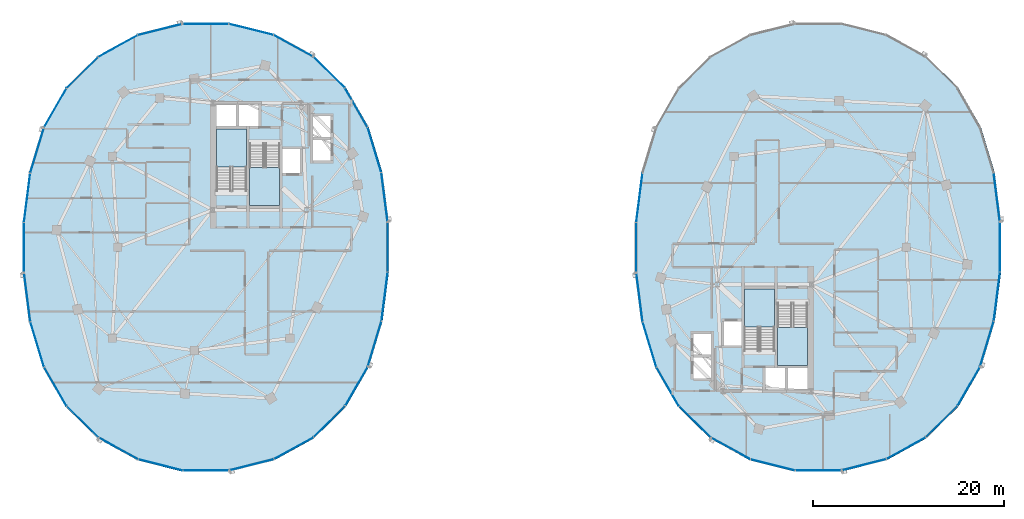
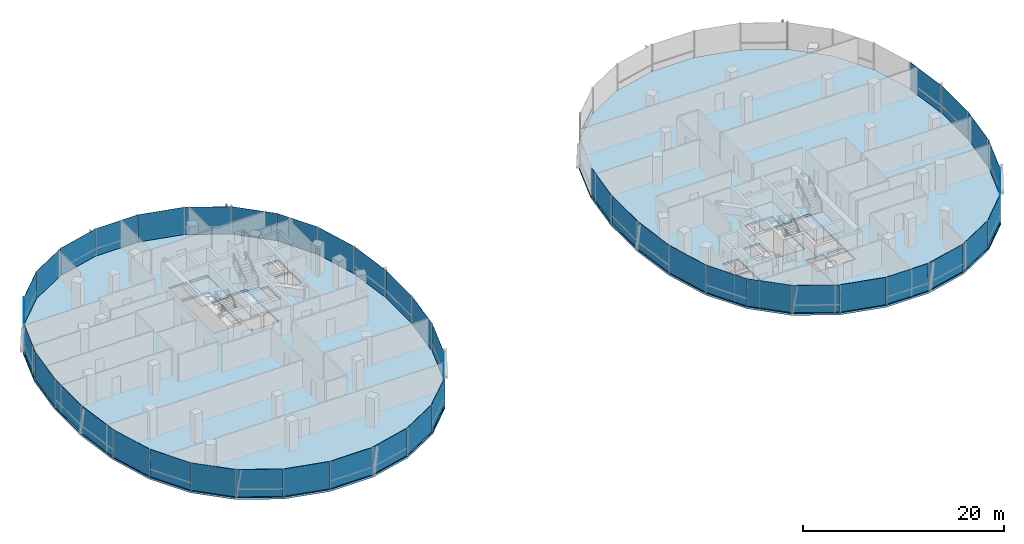
# One storey, part 10 of 23: 45 plates, 6 slabs, 12 elements without a shape of their own.
"""IFC4 building model written with IfcOpenShell, lengths in metres."""

from ifc_helpers import new_model, si_unit, direction, frame, origin, origin_2d, place, context, subcontext, project, spatial, polyline, rectangle, outline, extrude, material, layer, layer_set, type_object, element, aggregate, save


model = new_model("IFC4")

# Units and contexts
model_context = context("Model", 3, precision=1e-05, world=origin(), true_north=direction((0.0, 1.0)))
body_context = subcontext(model_context, "Body", "Model", "MODEL_VIEW")
ifc_project = project(units=[si_unit("LENGTHUNIT", "METRE"), si_unit("AREAUNIT", "SQUARE_METRE"), si_unit("VOLUMEUNIT", "CUBIC_METRE"), si_unit("PLANEANGLEUNIT", "RADIAN"), si_unit("MASSUNIT", "GRAM", prefix="KILO"), si_unit("THERMODYNAMICTEMPERATUREUNIT", "KELVIN"), si_unit("POWERUNIT", "WATT")], contexts=[model_context])

# Site, building, storey
site_placement = place(None, origin())
site = spatial("IfcSite", under=ifc_project, at=site_placement, CompositionType="ELEMENT")
building_placement = place(site_placement, origin())
building = spatial("IfcBuilding", under=site, at=building_placement, Name="Cundina Bronze Exchange", CompositionType="ELEMENT")
storey_placement = place(building_placement, frame((0.0, 0.0, 176.39990234375)))
storey = spatial("IfcBuildingStorey", under=building, at=storey_placement, Name="L46", CompositionType="ELEMENT", Elevation=176.39990234375)

# Curtain wall, plates
ifc_material_1 = material(Name="Anodised Bronze Aluminium 6063-T6", Category="aluminium")
curtain_wall_type = type_object("IfcCurtainWallType", Name="CWS-WST-PIN", PredefinedType="NOTDEFINED", material=ifc_material_1)
curtain_wall_1_placement = place(storey_placement, origin())
curtain_wall_1 = element("IfcCurtainWall", 1, at=curtain_wall_1_placement, inside=storey, type_object=curtain_wall_type, Name="L46 CW-04 Curtain Wall Run CWR-L46-W1", PredefinedType="NOTDEFINED")
ifc_material_2 = material(Name="Heat-Strengthened Solar-Control Bronze Safety Glass 28mm", Category="glass")
ifc_layer_1 = layer(ifc_material_2, 0.028076171875, Name="Heat-Strengthened Solar-Control Bronze Safety Glass 28mm", Category="glass")
ifc_layer_set_1 = layer_set([ifc_layer_1], Name="Heat-Strengthened Solar-Control Bronze Safety Glass 28mm")
plate_type_1 = type_object("IfcPlateType", Name="PLT-GLZ-VIS28", PredefinedType="CURTAIN_PANEL", material=ifc_layer_set_1)
plate_1_placement = place(storey_placement, frame((-13.320556640625, 5.2041015625, 0.02001953125), z_axis=(0.0, 0.0, 1.0), x_axis=(-0.126475984253, 0.9919696696, 0.0)))
plate_1 = element("IfcPlate", 2, at=plate_1_placement, type_object=plate_type_1, Name="CW-04 Glazed Panel 1", PredefinedType="CURTAIN_PANEL", context=body_context, shape_type="SweptSolid", body=[
    extrude(rectangle(XDim=5.104736328125, YDim=0.028076171875, at=origin_2d()), origin(), (0.0, 0.0, 1.0), 3.320068359375),
])
plate_2_placement = place(storey_placement, frame((-14.36669921875, 10.14208984375, 0.02001953125), z_axis=(0.0, 0.0, 1.0), x_axis=(-0.290050843957, 0.957011237092, 0.0)))
plate_2 = element("IfcPlate", 3, at=plate_2_placement, type_object=plate_type_1, Name="CW-04 Glazed Panel 2", PredefinedType="CURTAIN_PANEL", context=body_context, shape_type="SweptSolid", body=[
    extrude(rectangle(XDim=4.885009765625, YDim=0.028076171875, at=origin_2d()), origin(), (0.0, 0.0, 1.0), 3.320068359375),
])
plate_3_placement = place(storey_placement, frame((-16.265625, 14.564697265625, 0.02001953125), z_axis=(0.0, 0.0, 1.0), x_axis=(-0.498487739754, 0.866896748936, 0.0)))
plate_3 = element("IfcPlate", 4, at=plate_3_placement, type_object=plate_type_1, Name="CW-04 Glazed Panel 3", PredefinedType="CURTAIN_PANEL", context=body_context, shape_type="SweptSolid", body=[
    extrude(rectangle(XDim=4.676513671875, YDim=0.028076171875, at=origin_2d()), origin(), (0.0, 0.0, 1.0), 3.320068359375),
])
plate_4_placement = place(storey_placement, frame((-22.83154296875, 21.02880859375, 0.02001953125), z_axis=(0.0, 0.0, 1.0), x_axis=(-0.875869093438, 0.482548786301, 0.0)))
plate_4 = element("IfcPlate", 5, at=plate_4_placement, type_object=plate_type_1, Name="CW-04 Glazed Panel 5", PredefinedType="CURTAIN_PANEL", context=body_context, shape_type="SweptSolid", body=[
    extrude(rectangle(XDim=4.661865234375, YDim=0.028076171875, at=origin_2d()), origin(), (0.0, 0.0, 1.0), 3.320068359375),
])
plate_5_placement = place(storey_placement, frame((-27.23486328125, 22.75244140625, 0.02001953125), z_axis=(0.0, 0.0, 1.0), x_axis=(-0.970092713791, 0.242734683656, 0.0)))
plate_5 = element("IfcPlate", 6, at=plate_5_placement, type_object=plate_type_1, Name="CW-04 Glazed Panel 6", PredefinedType="CURTAIN_PANEL", context=body_context, shape_type="SweptSolid", body=[
    extrude(rectangle(XDim=4.7548828125, YDim=0.028076171875, at=origin_2d()), origin(), (0.0, 0.0, 1.0), 3.320068359375),
])
plate_6_placement = place(storey_placement, frame((-32.0, 23.3369140625, 0.02001953125), z_axis=(0.0, 0.0, 1.0), x_axis=(-1.0, 0.0, 0.0)))
plate_6 = element("IfcPlate", 7, at=plate_6_placement, type_object=plate_type_1, Name="CW-04 Glazed Panel 7", PredefinedType="CURTAIN_PANEL", context=body_context, shape_type="SweptSolid", body=[
    extrude(rectangle(XDim=4.7958984375, YDim=0.028076171875, at=origin_2d()), origin(), (0.0, 0.0, 1.0), 3.320068359375),
])

curtain_wall_2_placement = place(storey_placement, origin())
curtain_wall_2 = element("IfcCurtainWall", 8, at=curtain_wall_2_placement, inside=storey, type_object=curtain_wall_type, Name="L46 CW-04 Curtain Wall Run CWR-L46-W2", PredefinedType="NOTDEFINED")
plate_7_placement = place(storey_placement, frame((-36.76513671875, 22.75244140625, 0.02001953125), z_axis=(0.0, 0.0, 1.0), x_axis=(-0.970092713791, -0.242734683656, 0.0)))
plate_7 = element("IfcPlate", 9, at=plate_7_placement, type_object=plate_type_1, Name="CW-04 Glazed Panel 1", PredefinedType="CURTAIN_PANEL", context=body_context, shape_type="SweptSolid", body=[
    extrude(rectangle(XDim=4.7548828125, YDim=0.028076171875, at=origin_2d()), origin(), (0.0, 0.0, 1.0), 3.320068359375),
])
plate_8_placement = place(storey_placement, frame((-41.16845703125, 21.02880859375, 0.02001953125), z_axis=(0.0, 0.0, 1.0), x_axis=(-0.875869093438, -0.482548786301, 0.0)))
plate_8 = element("IfcPlate", 10, at=plate_8_placement, type_object=plate_type_1, Name="CW-04 Glazed Panel 2", PredefinedType="CURTAIN_PANEL", context=body_context, shape_type="SweptSolid", body=[
    extrude(rectangle(XDim=4.661865234375, YDim=0.028076171875, at=origin_2d()), origin(), (0.0, 0.0, 1.0), 3.320068359375),
])
plate_9_placement = place(storey_placement, frame((-47.734375, 14.564697265625, 0.02001953125), z_axis=(0.0, 0.0, 1.0), x_axis=(-0.498487739754, -0.866896748936, 0.0)))
plate_9 = element("IfcPlate", 11, at=plate_9_placement, type_object=plate_type_1, Name="CW-04 Glazed Panel 4", PredefinedType="CURTAIN_PANEL", context=body_context, shape_type="SweptSolid", body=[
    extrude(rectangle(XDim=4.676513671875, YDim=0.028076171875, at=origin_2d()), origin(), (0.0, 0.0, 1.0), 3.320068359375),
])
plate_10_placement = place(storey_placement, frame((-49.63330078125, 10.14208984375, 0.02001953125), z_axis=(0.0, 0.0, 1.0), x_axis=(-0.290050843957, -0.957011237092, 0.0)))
plate_10 = element("IfcPlate", 12, at=plate_10_placement, type_object=plate_type_1, Name="CW-04 Glazed Panel 5", PredefinedType="CURTAIN_PANEL", context=body_context, shape_type="SweptSolid", body=[
    extrude(rectangle(XDim=4.885009765625, YDim=0.028076171875, at=origin_2d()), origin(), (0.0, 0.0, 1.0), 3.320068359375),
])
plate_11_placement = place(storey_placement, frame((-50.679443359375, 5.2041015625, 0.02001953125), z_axis=(0.0, 0.0, 1.0), x_axis=(-0.126475984253, -0.9919696696, 0.0)))
plate_11 = element("IfcPlate", 13, at=plate_11_placement, type_object=plate_type_1, Name="CW-04 Glazed Panel 6", PredefinedType="CURTAIN_PANEL", context=body_context, shape_type="SweptSolid", body=[
    extrude(rectangle(XDim=5.104736328125, YDim=0.028076171875, at=origin_2d()), origin(), (0.0, 0.0, 1.0), 3.320068359375),
])
plate_12_placement = place(storey_placement, frame((-51.007080078125, 0.0, 0.02001953125), z_axis=(0.0, 0.0, 1.0), x_axis=(0.0, -1.0, 0.0)))
plate_12 = element("IfcPlate", 14, at=plate_12_placement, type_object=plate_type_1, Name="CW-04 Glazed Panel 7", PredefinedType="CURTAIN_PANEL", context=body_context, shape_type="SweptSolid", body=[
    extrude(rectangle(XDim=5.194091796875, YDim=0.028076171875, at=origin_2d()), origin(), (0.0, 0.0, 1.0), 3.320068359375),
])

curtain_wall_3_placement = place(storey_placement, origin())
curtain_wall_3 = element("IfcCurtainWall", 15, at=curtain_wall_3_placement, inside=storey, type_object=curtain_wall_type, Name="L46 CW-04 Curtain Wall Run CWR-L46-W3", PredefinedType="NOTDEFINED")
plate_13_placement = place(storey_placement, frame((-50.679443359375, -5.2041015625, 0.02001953125), z_axis=(0.0, 0.0, 1.0), x_axis=(0.126475984253, -0.9919696696, 0.0)))
plate_13 = element("IfcPlate", 16, at=plate_13_placement, type_object=plate_type_1, Name="CW-04 Glazed Panel 1", PredefinedType="CURTAIN_PANEL", context=body_context, shape_type="SweptSolid", body=[
    extrude(rectangle(XDim=5.104736328125, YDim=0.028076171875, at=origin_2d()), origin(), (0.0, 0.0, 1.0), 3.320068359375),
])
plate_14_placement = place(storey_placement, frame((-47.734375, -14.564697265625, 0.02001953125), z_axis=(0.0, 0.0, 1.0), x_axis=(0.498487739754, -0.866896748936, 0.0)))
plate_14 = element("IfcPlate", 17, at=plate_14_placement, type_object=plate_type_1, Name="CW-04 Glazed Panel 3", PredefinedType="CURTAIN_PANEL", context=body_context, shape_type="SweptSolid", body=[
    extrude(rectangle(XDim=4.676513671875, YDim=0.028076171875, at=origin_2d()), origin(), (0.0, 0.0, 1.0), 3.320068359375),
])
plate_15_placement = place(storey_placement, frame((-44.894775390625, -18.253662109375, 0.02001953125), z_axis=(0.0, 0.0, 1.0), x_axis=(0.711989280367, -0.702190333629, 0.0)))
plate_15 = element("IfcPlate", 18, at=plate_15_placement, type_object=plate_type_1, Name="CW-04 Glazed Panel 4", PredefinedType="CURTAIN_PANEL", context=body_context, shape_type="SweptSolid", body=[
    extrude(rectangle(XDim=4.6025390625, YDim=0.028076171875, at=origin_2d()), origin(), (0.0, 0.0, 1.0), 3.320068359375),
])
plate_16_placement = place(storey_placement, frame((-41.16845703125, -21.02880859375, 0.02001953125), z_axis=(0.0, 0.0, 1.0), x_axis=(0.875869093438, -0.482548786301, 0.0)))
plate_16 = element("IfcPlate", 19, at=plate_16_placement, type_object=plate_type_1, Name="CW-04 Glazed Panel 5", PredefinedType="CURTAIN_PANEL", context=body_context, shape_type="SweptSolid", body=[
    extrude(rectangle(XDim=4.661865234375, YDim=0.028076171875, at=origin_2d()), origin(), (0.0, 0.0, 1.0), 3.320068359375),
])
plate_17_placement = place(storey_placement, frame((-36.76513671875, -22.75244140625, 0.02001953125), z_axis=(0.0, 0.0, 1.0), x_axis=(0.970092713791, -0.242734683656, 0.0)))
plate_17 = element("IfcPlate", 20, at=plate_17_placement, type_object=plate_type_1, Name="CW-04 Glazed Panel 6", PredefinedType="CURTAIN_PANEL", context=body_context, shape_type="SweptSolid", body=[
    extrude(rectangle(XDim=4.7548828125, YDim=0.028076171875, at=origin_2d()), origin(), (0.0, 0.0, 1.0), 3.320068359375),
])

curtain_wall_4_placement = place(storey_placement, origin())
curtain_wall_4 = element("IfcCurtainWall", 21, at=curtain_wall_4_placement, inside=storey, type_object=curtain_wall_type, Name="L46 CW-04 Curtain Wall Run CWR-L46-W4", PredefinedType="NOTDEFINED")
plate_18_placement = place(storey_placement, frame((-22.83154296875, -21.02880859375, 0.02001953125), z_axis=(0.0, 0.0, 1.0), x_axis=(0.875869093438, 0.482548786301, 0.0)))
plate_18 = element("IfcPlate", 22, at=plate_18_placement, type_object=plate_type_1, Name="CW-04 Glazed Panel 2", PredefinedType="CURTAIN_PANEL", context=body_context, shape_type="SweptSolid", body=[
    extrude(rectangle(XDim=4.661865234375, YDim=0.028076171875, at=origin_2d()), origin(), (0.0, 0.0, 1.0), 3.320068359375),
])
plate_19_placement = place(storey_placement, frame((-19.105224609375, -18.253662109375, 0.02001953125), z_axis=(0.0, 0.0, 1.0), x_axis=(0.711989280367, 0.702190333629, 0.0)))
plate_19 = element("IfcPlate", 23, at=plate_19_placement, type_object=plate_type_1, Name="CW-04 Glazed Panel 3", PredefinedType="CURTAIN_PANEL", context=body_context, shape_type="SweptSolid", body=[
    extrude(rectangle(XDim=4.6025390625, YDim=0.028076171875, at=origin_2d()), origin(), (0.0, 0.0, 1.0), 3.320068359375),
])
plate_20_placement = place(storey_placement, frame((-16.265625, -14.564697265625, 0.02001953125), z_axis=(0.0, 0.0, 1.0), x_axis=(0.498487739754, 0.866896748936, 0.0)))
plate_20 = element("IfcPlate", 24, at=plate_20_placement, type_object=plate_type_1, Name="CW-04 Glazed Panel 4", PredefinedType="CURTAIN_PANEL", context=body_context, shape_type="SweptSolid", body=[
    extrude(rectangle(XDim=4.676513671875, YDim=0.028076171875, at=origin_2d()), origin(), (0.0, 0.0, 1.0), 3.320068359375),
])
plate_21_placement = place(storey_placement, frame((-14.36669921875, -10.14208984375, 0.02001953125), z_axis=(0.0, 0.0, 1.0), x_axis=(0.290050843957, 0.957011237092, 0.0)))
plate_21 = element("IfcPlate", 25, at=plate_21_placement, type_object=plate_type_1, Name="CW-04 Glazed Panel 5", PredefinedType="CURTAIN_PANEL", context=body_context, shape_type="SweptSolid", body=[
    extrude(rectangle(XDim=4.885009765625, YDim=0.028076171875, at=origin_2d()), origin(), (0.0, 0.0, 1.0), 3.320068359375),
])
plate_22_placement = place(storey_placement, frame((-12.992919921875, 0.0, 0.02001953125), z_axis=(0.0, 0.0, 1.0), x_axis=(0.0, 1.0, 0.0)))
plate_22 = element("IfcPlate", 26, at=plate_22_placement, type_object=plate_type_1, Name="CW-04 Glazed Panel 7", PredefinedType="CURTAIN_PANEL", context=body_context, shape_type="SweptSolid", body=[
    extrude(rectangle(XDim=5.194091796875, YDim=0.028076171875, at=origin_2d()), origin(), (0.0, 0.0, 1.0), 3.320068359375),
])

# Curtain wall, plate
curtain_wall_5_placement = place(storey_placement, origin())
curtain_wall_5 = element("IfcCurtainWall", 27, at=curtain_wall_5_placement, inside=storey, type_object=curtain_wall_type, Name="L46 CW-04 Curtain Wall Run CWR-L46-E1", PredefinedType="NOTDEFINED")
plate_23_placement = place(storey_placement, frame((50.679443359375, 5.2041015625, 0.02001953125), z_axis=(0.0, 0.0, 1.0), x_axis=(-0.126475984253, 0.9919696696, 0.0)))
plate_23 = element("IfcPlate", 28, at=plate_23_placement, type_object=plate_type_1, Name="CW-04 Glazed Panel 1", PredefinedType="CURTAIN_PANEL", context=body_context, shape_type="SweptSolid", body=[
    extrude(rectangle(XDim=5.104736328125, YDim=0.028076171875, at=origin_2d()), origin(), (0.0, 0.0, 1.0), 3.320068359375),
])
aggregate(curtain_wall_5, [plate_23])

# Curtain wall, plates
curtain_wall_6_placement = place(storey_placement, origin())
curtain_wall_6 = element("IfcCurtainWall", 29, at=curtain_wall_6_placement, inside=storey, type_object=curtain_wall_type, Name="L46 CW-04 Curtain Wall Run CWR-L46-E2", PredefinedType="NOTDEFINED")
plate_24_placement = place(storey_placement, frame((13.320556640625, 5.2041015625, 0.02001953125), z_axis=(0.0, 0.0, 1.0), x_axis=(-0.126475984253, -0.9919696696, 0.0)))
plate_24 = element("IfcPlate", 30, at=plate_24_placement, type_object=plate_type_1, Name="CW-04 Glazed Panel 6", PredefinedType="CURTAIN_PANEL", context=body_context, shape_type="SweptSolid", body=[
    extrude(rectangle(XDim=5.104736328125, YDim=0.028076171875, at=origin_2d()), origin(), (0.0, 0.0, 1.0), 3.320068359375),
])
plate_25_placement = place(storey_placement, frame((12.992919921875, 0.0, 0.02001953125), z_axis=(0.0, 0.0, 1.0), x_axis=(0.0, -1.0, 0.0)))
plate_25 = element("IfcPlate", 31, at=plate_25_placement, type_object=plate_type_1, Name="CW-04 Glazed Panel 7", PredefinedType="CURTAIN_PANEL", context=body_context, shape_type="SweptSolid", body=[
    extrude(rectangle(XDim=5.194091796875, YDim=0.028076171875, at=origin_2d()), origin(), (0.0, 0.0, 1.0), 3.320068359375),
])
aggregate(curtain_wall_6, [plate_24, plate_25])

curtain_wall_7_placement = place(storey_placement, origin())
curtain_wall_7 = element("IfcCurtainWall", 32, at=curtain_wall_7_placement, inside=storey, type_object=curtain_wall_type, Name="L46 CW-04 Curtain Wall Run CWR-L46-E3", PredefinedType="NOTDEFINED")
plate_26_placement = place(storey_placement, frame((13.320556640625, -5.2041015625, 0.02001953125), z_axis=(0.0, 0.0, 1.0), x_axis=(0.126475984253, -0.9919696696, 0.0)))
plate_26 = element("IfcPlate", 33, at=plate_26_placement, type_object=plate_type_1, Name="CW-04 Glazed Panel 1", PredefinedType="CURTAIN_PANEL", context=body_context, shape_type="SweptSolid", body=[
    extrude(rectangle(XDim=5.104736328125, YDim=0.028076171875, at=origin_2d()), origin(), (0.0, 0.0, 1.0), 3.320068359375),
])
plate_27_placement = place(storey_placement, frame((16.265625, -14.564697265625, 0.02001953125), z_axis=(0.0, 0.0, 1.0), x_axis=(0.498487739754, -0.866896748936, 0.0)))
plate_27 = element("IfcPlate", 34, at=plate_27_placement, type_object=plate_type_1, Name="CW-04 Glazed Panel 3", PredefinedType="CURTAIN_PANEL", context=body_context, shape_type="SweptSolid", body=[
    extrude(rectangle(XDim=4.676513671875, YDim=0.028076171875, at=origin_2d()), origin(), (0.0, 0.0, 1.0), 3.320068359375),
])
plate_28_placement = place(storey_placement, frame((19.105224609375, -18.253662109375, 0.02001953125), z_axis=(0.0, 0.0, 1.0), x_axis=(0.711989280367, -0.702190333629, 0.0)))
plate_28 = element("IfcPlate", 35, at=plate_28_placement, type_object=plate_type_1, Name="CW-04 Glazed Panel 4", PredefinedType="CURTAIN_PANEL", context=body_context, shape_type="SweptSolid", body=[
    extrude(rectangle(XDim=4.6025390625, YDim=0.028076171875, at=origin_2d()), origin(), (0.0, 0.0, 1.0), 3.320068359375),
])
plate_29_placement = place(storey_placement, frame((22.83154296875, -21.02880859375, 0.02001953125), z_axis=(0.0, 0.0, 1.0), x_axis=(0.875869093438, -0.482548786301, 0.0)))
plate_29 = element("IfcPlate", 36, at=plate_29_placement, type_object=plate_type_1, Name="CW-04 Glazed Panel 5", PredefinedType="CURTAIN_PANEL", context=body_context, shape_type="SweptSolid", body=[
    extrude(rectangle(XDim=4.661865234375, YDim=0.028076171875, at=origin_2d()), origin(), (0.0, 0.0, 1.0), 3.320068359375),
])
plate_30_placement = place(storey_placement, frame((27.23486328125, -22.75244140625, 0.02001953125), z_axis=(0.0, 0.0, 1.0), x_axis=(0.970092713791, -0.242734683656, 0.0)))
plate_30 = element("IfcPlate", 37, at=plate_30_placement, type_object=plate_type_1, Name="CW-04 Glazed Panel 6", PredefinedType="CURTAIN_PANEL", context=body_context, shape_type="SweptSolid", body=[
    extrude(rectangle(XDim=4.7548828125, YDim=0.028076171875, at=origin_2d()), origin(), (0.0, 0.0, 1.0), 3.320068359375),
])

curtain_wall_8_placement = place(storey_placement, origin())
curtain_wall_8 = element("IfcCurtainWall", 38, at=curtain_wall_8_placement, inside=storey, type_object=curtain_wall_type, Name="L46 CW-04 Curtain Wall Run CWR-L46-E4", PredefinedType="NOTDEFINED")
plate_31_placement = place(storey_placement, frame((41.16845703125, -21.02880859375, 0.02001953125), z_axis=(0.0, 0.0, 1.0), x_axis=(0.875869093438, 0.482548786301, 0.0)))
plate_31 = element("IfcPlate", 39, at=plate_31_placement, type_object=plate_type_1, Name="CW-04 Glazed Panel 2", PredefinedType="CURTAIN_PANEL", context=body_context, shape_type="SweptSolid", body=[
    extrude(rectangle(XDim=4.661865234375, YDim=0.028076171875, at=origin_2d()), origin(), (0.0, 0.0, 1.0), 3.320068359375),
])
plate_32_placement = place(storey_placement, frame((44.894775390625, -18.253662109375, 0.02001953125), z_axis=(0.0, 0.0, 1.0), x_axis=(0.711989280367, 0.702190333629, 0.0)))
plate_32 = element("IfcPlate", 40, at=plate_32_placement, type_object=plate_type_1, Name="CW-04 Glazed Panel 3", PredefinedType="CURTAIN_PANEL", context=body_context, shape_type="SweptSolid", body=[
    extrude(rectangle(XDim=4.6025390625, YDim=0.028076171875, at=origin_2d()), origin(), (0.0, 0.0, 1.0), 3.320068359375),
])
plate_33_placement = place(storey_placement, frame((47.734375, -14.564697265625, 0.02001953125), z_axis=(0.0, 0.0, 1.0), x_axis=(0.498487739754, 0.866896748936, 0.0)))
plate_33 = element("IfcPlate", 41, at=plate_33_placement, type_object=plate_type_1, Name="CW-04 Glazed Panel 4", PredefinedType="CURTAIN_PANEL", context=body_context, shape_type="SweptSolid", body=[
    extrude(rectangle(XDim=4.676513671875, YDim=0.028076171875, at=origin_2d()), origin(), (0.0, 0.0, 1.0), 3.320068359375),
])
plate_34_placement = place(storey_placement, frame((49.63330078125, -10.14208984375, 0.02001953125), z_axis=(0.0, 0.0, 1.0), x_axis=(0.290050843957, 0.957011237092, 0.0)))
plate_34 = element("IfcPlate", 42, at=plate_34_placement, type_object=plate_type_1, Name="CW-04 Glazed Panel 5", PredefinedType="CURTAIN_PANEL", context=body_context, shape_type="SweptSolid", body=[
    extrude(rectangle(XDim=4.885009765625, YDim=0.028076171875, at=origin_2d()), origin(), (0.0, 0.0, 1.0), 3.320068359375),
])
plate_35_placement = place(storey_placement, frame((51.007080078125, 0.0, 0.02001953125), z_axis=(0.0, 0.0, 1.0), x_axis=(0.0, 1.0, 0.0)))
plate_35 = element("IfcPlate", 43, at=plate_35_placement, type_object=plate_type_1, Name="CW-04 Glazed Panel 7", PredefinedType="CURTAIN_PANEL", context=body_context, shape_type="SweptSolid", body=[
    extrude(rectangle(XDim=5.194091796875, YDim=0.028076171875, at=origin_2d()), origin(), (0.0, 0.0, 1.0), 3.320068359375),
])

# Plate
ifc_material_3 = material(Name="Dark Bronze Spandrel Glass Panel 32mm", Category="glass")
ifc_layer_2 = layer(ifc_material_3, 0.031982421875, Name="Dark Bronze Spandrel Glass Panel 32mm", Category="glass")
ifc_layer_set_2 = layer_set([ifc_layer_2], Name="Dark Bronze Spandrel Glass Panel 32mm")
plate_type_2 = type_object("IfcPlateType", Name="PLT-SPN-BRZ32", PredefinedType="CURTAIN_PANEL", material=ifc_layer_set_2)
plate_36_placement = place(storey_placement, frame((-19.105224609375, 18.253662109375, 0.02001953125), z_axis=(0.0, 0.0, 1.0), x_axis=(-0.711989280367, 0.702190333629, 0.0)))
plate_36 = element("IfcPlate", 44, at=plate_36_placement, type_object=plate_type_2, Name="CW-04 Glazed Panel 4", PredefinedType="CURTAIN_PANEL", context=body_context, shape_type="SweptSolid", body=[
    extrude(rectangle(XDim=4.6025390625, YDim=0.031982421875, at=origin_2d()), origin(), (0.0, 0.0, 1.0), 3.320068359375),
])

aggregate(curtain_wall_1, [plate_1, plate_2, plate_3, plate_36, plate_4, plate_5, plate_6])

plate_37_placement = place(storey_placement, frame((-44.894775390625, 18.253662109375, 0.02001953125), z_axis=(0.0, 0.0, 1.0), x_axis=(-0.711989280367, -0.702190333629, 0.0)))
plate_37 = element("IfcPlate", 45, at=plate_37_placement, type_object=plate_type_2, Name="CW-04 Glazed Panel 3", PredefinedType="CURTAIN_PANEL", context=body_context, shape_type="SweptSolid", body=[
    extrude(rectangle(XDim=4.6025390625, YDim=0.031982421875, at=origin_2d()), origin(), (0.0, 0.0, 1.0), 3.320068359375),
])

aggregate(curtain_wall_2, [plate_7, plate_8, plate_37, plate_9, plate_10, plate_11, plate_12])

plate_38_placement = place(storey_placement, frame((-49.63330078125, -10.14208984375, 0.02001953125), z_axis=(0.0, 0.0, 1.0), x_axis=(0.290050843957, -0.957011237092, 0.0)))
plate_38 = element("IfcPlate", 46, at=plate_38_placement, type_object=plate_type_2, Name="CW-04 Glazed Panel 2", PredefinedType="CURTAIN_PANEL", context=body_context, shape_type="SweptSolid", body=[
    extrude(rectangle(XDim=4.885009765625, YDim=0.031982421875, at=origin_2d()), origin(), (0.0, 0.0, 1.0), 3.320068359375),
])

plate_39_placement = place(storey_placement, frame((-32.0, -23.3369140625, 0.02001953125), z_axis=(0.0, 0.0, 1.0), x_axis=(1.0, 0.0, 0.0)))
plate_39 = element("IfcPlate", 47, at=plate_39_placement, type_object=plate_type_2, Name="CW-04 Glazed Panel 7", PredefinedType="CURTAIN_PANEL", context=body_context, shape_type="SweptSolid", body=[
    extrude(rectangle(XDim=4.7958984375, YDim=0.031982421875, at=origin_2d()), origin(), (0.0, 0.0, 1.0), 3.320068359375),
])

aggregate(curtain_wall_3, [plate_13, plate_38, plate_14, plate_15, plate_16, plate_17, plate_39])

plate_40_placement = place(storey_placement, frame((-27.23486328125, -22.75244140625, 0.02001953125), z_axis=(0.0, 0.0, 1.0), x_axis=(0.970092713791, 0.242734683656, 0.0)))
plate_40 = element("IfcPlate", 48, at=plate_40_placement, type_object=plate_type_2, Name="CW-04 Glazed Panel 1", PredefinedType="CURTAIN_PANEL", context=body_context, shape_type="SweptSolid", body=[
    extrude(rectangle(XDim=4.7548828125, YDim=0.031982421875, at=origin_2d()), origin(), (0.0, 0.0, 1.0), 3.320068359375),
])

plate_41_placement = place(storey_placement, frame((-13.320556640625, -5.2041015625, 0.02001953125), z_axis=(0.0, 0.0, 1.0), x_axis=(0.126475984253, 0.9919696696, 0.0)))
plate_41 = element("IfcPlate", 49, at=plate_41_placement, type_object=plate_type_2, Name="CW-04 Glazed Panel 6", PredefinedType="CURTAIN_PANEL", context=body_context, shape_type="SweptSolid", body=[
    extrude(rectangle(XDim=5.104736328125, YDim=0.031982421875, at=origin_2d()), origin(), (0.0, 0.0, 1.0), 3.320068359375),
])

aggregate(curtain_wall_4, [plate_40, plate_18, plate_19, plate_20, plate_21, plate_41, plate_22])

plate_42_placement = place(storey_placement, frame((14.36669921875, -10.14208984375, 0.02001953125), z_axis=(0.0, 0.0, 1.0), x_axis=(0.290050843957, -0.957011237092, 0.0)))
plate_42 = element("IfcPlate", 50, at=plate_42_placement, type_object=plate_type_2, Name="CW-04 Glazed Panel 2", PredefinedType="CURTAIN_PANEL", context=body_context, shape_type="SweptSolid", body=[
    extrude(rectangle(XDim=4.885009765625, YDim=0.031982421875, at=origin_2d()), origin(), (0.0, 0.0, 1.0), 3.320068359375),
])

plate_43_placement = place(storey_placement, frame((32.0, -23.3369140625, 0.02001953125), z_axis=(0.0, 0.0, 1.0), x_axis=(1.0, 0.0, 0.0)))
plate_43 = element("IfcPlate", 51, at=plate_43_placement, type_object=plate_type_2, Name="CW-04 Glazed Panel 7", PredefinedType="CURTAIN_PANEL", context=body_context, shape_type="SweptSolid", body=[
    extrude(rectangle(XDim=4.7958984375, YDim=0.031982421875, at=origin_2d()), origin(), (0.0, 0.0, 1.0), 3.320068359375),
])

aggregate(curtain_wall_7, [plate_26, plate_42, plate_27, plate_28, plate_29, plate_30, plate_43])

plate_44_placement = place(storey_placement, frame((36.76513671875, -22.75244140625, 0.02001953125), z_axis=(0.0, 0.0, 1.0), x_axis=(0.970092713791, 0.242734683656, 0.0)))
plate_44 = element("IfcPlate", 52, at=plate_44_placement, type_object=plate_type_2, Name="CW-04 Glazed Panel 1", PredefinedType="CURTAIN_PANEL", context=body_context, shape_type="SweptSolid", body=[
    extrude(rectangle(XDim=4.7548828125, YDim=0.031982421875, at=origin_2d()), origin(), (0.0, 0.0, 1.0), 3.320068359375),
])

plate_45_placement = place(storey_placement, frame((50.679443359375, -5.2041015625, 0.02001953125), z_axis=(0.0, 0.0, 1.0), x_axis=(0.126475984253, 0.9919696696, 0.0)))
plate_45 = element("IfcPlate", 53, at=plate_45_placement, type_object=plate_type_2, Name="CW-04 Glazed Panel 6", PredefinedType="CURTAIN_PANEL", context=body_context, shape_type="SweptSolid", body=[
    extrude(rectangle(XDim=5.104736328125, YDim=0.031982421875, at=origin_2d()), origin(), (0.0, 0.0, 1.0), 3.320068359375),
])

aggregate(curtain_wall_8, [plate_44, plate_31, plate_32, plate_33, plate_34, plate_45, plate_35])

# Stair, slab
ifc_material_4 = material(Name="Concrete C40/50", Category="concrete")
stair_type = type_object("IfcStairType", Name="STR-OFF-360", PredefinedType="HALF_TURN_STAIR", material=ifc_material_4)
stair_1_placement = place(storey_placement, origin())
stair_1 = element("IfcStair", 54, at=stair_1_placement, inside=storey, type_object=stair_type, Name="L46 Smokeproof Exit Stair W1", PredefinedType="HALF_TURN_STAIR")
ifc_layer_3 = layer(ifc_material_4, 0.199951171875, Name="Concrete C40/50", Category="concrete")
ifc_layer_set_3 = layer_set([ifc_layer_3], Name="Concrete C40/50")
slab_type_1 = type_object("IfcSlabType", Name="SLB-LND-200", PredefinedType="LANDING", material=ifc_layer_set_3)
slab_1_placement = place(storey_placement, frame((0.0, 0.0, 1.60009765625)))
slab_1 = element("IfcSlab", 55, at=slab_1_placement, type_object=slab_type_1, Name="ST-W1 landing 1", PredefinedType="LANDING", context=body_context, shape_type="SweptSolid", body=[
    extrude(outline(polyline([(-27.739990234375, 8.3701171875), (-27.739990234375, 12.35009765625), (-30.89990234375, 12.35009765625), (-30.89990234375, 8.3701171875), (-27.739990234375, 8.3701171875)])), origin(), (0.0, 0.0, 1.0), 0.199951171875),
])
aggregate(stair_1, [slab_1])

stair_2_placement = place(storey_placement, origin())
stair_2 = element("IfcStair", 56, at=stair_2_placement, inside=storey, type_object=stair_type, Name="L46 Smokeproof Exit Stair W2", PredefinedType="HALF_TURN_STAIR")
slab_2_placement = place(storey_placement, frame((0.0, 0.0, 1.60009765625)))
slab_2 = element("IfcSlab", 57, at=slab_2_placement, type_object=slab_type_1, Name="ST-W2 landing 1", PredefinedType="LANDING", context=body_context, shape_type="SweptSolid", body=[
    extrude(outline(polyline([(-27.43994140625, 8.330078125), (-27.43994140625, 4.35009765625), (-24.280029296875, 4.35009765625), (-24.280029296875, 8.330078125), (-27.43994140625, 8.330078125)])), origin(), (0.0, 0.0, 1.0), 0.199951171875),
])
aggregate(stair_2, [slab_2])

stair_3_placement = place(storey_placement, origin())
stair_3 = element("IfcStair", 58, at=stair_3_placement, inside=storey, type_object=stair_type, Name="L46 Smokeproof Exit Stair E1", PredefinedType="HALF_TURN_STAIR")
slab_3_placement = place(storey_placement, frame((0.0, 0.0, 1.60009765625)))
slab_3 = element("IfcSlab", 59, at=slab_3_placement, type_object=slab_type_1, Name="ST-E1 landing 1", PredefinedType="LANDING", context=body_context, shape_type="SweptSolid", body=[
    extrude(outline(polyline([(27.739990234375, -8.3701171875), (27.739990234375, -12.35009765625), (30.89990234375, -12.35009765625), (30.89990234375, -8.3701171875), (27.739990234375, -8.3701171875)])), origin(), (0.0, 0.0, 1.0), 0.199951171875),
])
aggregate(stair_3, [slab_3])

stair_4_placement = place(storey_placement, origin())
stair_4 = element("IfcStair", 60, at=stair_4_placement, inside=storey, type_object=stair_type, Name="L46 Smokeproof Exit Stair E2", PredefinedType="HALF_TURN_STAIR")
slab_4_placement = place(storey_placement, frame((0.0, 0.0, 1.60009765625)))
slab_4 = element("IfcSlab", 61, at=slab_4_placement, type_object=slab_type_1, Name="ST-E2 landing 1", PredefinedType="LANDING", context=body_context, shape_type="SweptSolid", body=[
    extrude(outline(polyline([(27.43994140625, -8.330078125), (27.43994140625, -4.35009765625), (24.280029296875, -4.35009765625), (24.280029296875, -8.330078125), (27.43994140625, -8.330078125)])), origin(), (0.0, 0.0, 1.0), 0.199951171875),
])
aggregate(stair_4, [slab_4])

# Slabs
ifc_material_5 = material(Name="Concrete C50/60", Category="concrete")
ifc_layer_4 = layer(ifc_material_5, 0.239990234375, Name="Concrete C50/60", Category="concrete")
ifc_layer_set_4 = layer_set([ifc_layer_4], Name="Concrete C50/60")
slab_type_2 = type_object("IfcSlabType", Name="SLB-WST-240", PredefinedType="FLOOR", material=ifc_layer_set_4)
slab_5_placement = place(storey_placement, frame((0.0, 0.0, -0.239990234375)))
element("IfcSlab", 62, at=slab_5_placement, inside=storey, type_object=slab_type_2, Name="L46 Leg W Structural Floor Slab", PredefinedType="FLOOR", context=body_context, shape_type="SweptSolid", body=[
    extrude(outline(polyline([(-12.8779296875, 2.64208984375), (-13.534912109375, 7.794921875), (-14.97802734375, 12.555908203125), (-17.35400390625, 16.68798828125), (-20.695068359375, 19.98291015625), (-24.85693359375, 22.27587890625), (-29.556884765625, 23.451904296875), (-34.443115234375, 23.451904296875), (-39.14306640625, 22.27587890625), (-43.304931640625, 19.98291015625), (-46.64599609375, 16.68798828125), (-49.02197265625, 12.555908203125), (-50.465087890625, 7.794921875), (-51.1220703125, 2.64208984375), (-51.1220703125, -2.64208984375), (-50.465087890625, -7.794921875), (-49.02197265625, -12.555908203125), (-46.64599609375, -16.68798828125), (-43.304931640625, -19.98291015625), (-39.14306640625, -22.27587890625), (-34.443115234375, -23.451904296875), (-29.556884765625, -23.451904296875), (-24.85693359375, -22.27587890625), (-20.695068359375, -19.98291015625), (-17.35400390625, -16.68798828125), (-14.97802734375, -12.555908203125), (-13.534912109375, -7.794921875), (-12.8779296875, -2.64208984375), (-12.8779296875, 2.64208984375)]), holes=[polyline([(-27.739990234375, 5.85009765625), (-27.739990234375, 12.35009765625), (-30.89990234375, 12.35009765625), (-30.89990234375, 5.85009765625), (-27.739990234375, 5.85009765625)]), polyline([(-27.43994140625, 10.85009765625), (-27.43994140625, 4.35009765625), (-24.280029296875, 4.35009765625), (-24.280029296875, 10.85009765625), (-27.43994140625, 10.85009765625)]), polyline([(-23.97998046875, 10.25), (-22.179931640625, 10.25), (-22.179931640625, 7.75), (-23.97998046875, 7.75), (-23.97998046875, 10.25)]), polyline([(-30.89990234375, 14.949951171875), (-28.85009765625, 14.949951171875), (-28.85009765625, 12.64990234375), (-30.89990234375, 12.64990234375), (-30.89990234375, 14.949951171875)]), polyline([(-28.550048828125, 14.949951171875), (-26.5, 14.949951171875), (-26.5, 12.64990234375), (-28.550048828125, 12.64990234375), (-28.550048828125, 14.949951171875)]), polyline([(-20.800048828125, 13.699951171875), (-18.949951171875, 13.699951171875), (-18.949951171875, 11.449951171875), (-20.800048828125, 11.449951171875), (-20.800048828125, 13.699951171875)]), polyline([(-20.800048828125, 11.300048828125), (-18.949951171875, 11.300048828125), (-18.949951171875, 9.050048828125), (-20.800048828125, 9.050048828125), (-20.800048828125, 11.300048828125)])]), origin(), (0.0, 0.0, 1.0), 0.239990234375),
])
slab_6_placement = place(storey_placement, frame((0.0, 0.0, -0.239990234375)))
element("IfcSlab", 63, at=slab_6_placement, inside=storey, type_object=slab_type_2, Name="L46 Leg E Structural Floor Slab", PredefinedType="FLOOR", context=body_context, shape_type="SweptSolid", body=[
    extrude(outline(polyline([(51.1220703125, 2.64208984375), (50.465087890625, 7.794921875), (49.02197265625, 12.555908203125), (46.64599609375, 16.68798828125), (43.304931640625, 19.98291015625), (39.14306640625, 22.27587890625), (34.443115234375, 23.451904296875), (29.556884765625, 23.451904296875), (24.85693359375, 22.27587890625), (20.695068359375, 19.98291015625), (17.35400390625, 16.68798828125), (14.97802734375, 12.555908203125), (13.534912109375, 7.794921875), (12.8779296875, 2.64208984375), (12.8779296875, -2.64208984375), (13.534912109375, -7.794921875), (14.97802734375, -12.555908203125), (17.35400390625, -16.68798828125), (20.695068359375, -19.98291015625), (24.85693359375, -22.27587890625), (29.556884765625, -23.451904296875), (34.443115234375, -23.451904296875), (39.14306640625, -22.27587890625), (43.304931640625, -19.98291015625), (46.64599609375, -16.68798828125), (49.02197265625, -12.555908203125), (50.465087890625, -7.794921875), (51.1220703125, -2.64208984375), (51.1220703125, 2.64208984375)]), holes=[polyline([(27.739990234375, -5.85009765625), (27.739990234375, -12.35009765625), (30.89990234375, -12.35009765625), (30.89990234375, -5.85009765625), (27.739990234375, -5.85009765625)]), polyline([(27.43994140625, -10.85009765625), (27.43994140625, -4.35009765625), (24.280029296875, -4.35009765625), (24.280029296875, -10.85009765625), (27.43994140625, -10.85009765625)]), polyline([(22.179931640625, -7.75), (23.97998046875, -7.75), (23.97998046875, -10.25), (22.179931640625, -10.25), (22.179931640625, -7.75)]), polyline([(28.85009765625, -12.64990234375), (30.89990234375, -12.64990234375), (30.89990234375, -14.949951171875), (28.85009765625, -14.949951171875), (28.85009765625, -12.64990234375)]), polyline([(26.5, -12.64990234375), (28.550048828125, -12.64990234375), (28.550048828125, -14.949951171875), (26.5, -14.949951171875), (26.5, -12.64990234375)]), polyline([(18.949951171875, -11.449951171875), (20.800048828125, -11.449951171875), (20.800048828125, -13.699951171875), (18.949951171875, -13.699951171875), (18.949951171875, -11.449951171875)]), polyline([(18.949951171875, -9.050048828125), (20.800048828125, -9.050048828125), (20.800048828125, -11.300048828125), (18.949951171875, -11.300048828125), (18.949951171875, -9.050048828125)])]), origin(), (0.0, 0.0, 1.0), 0.239990234375),
])

save(model, "model.ifc")
